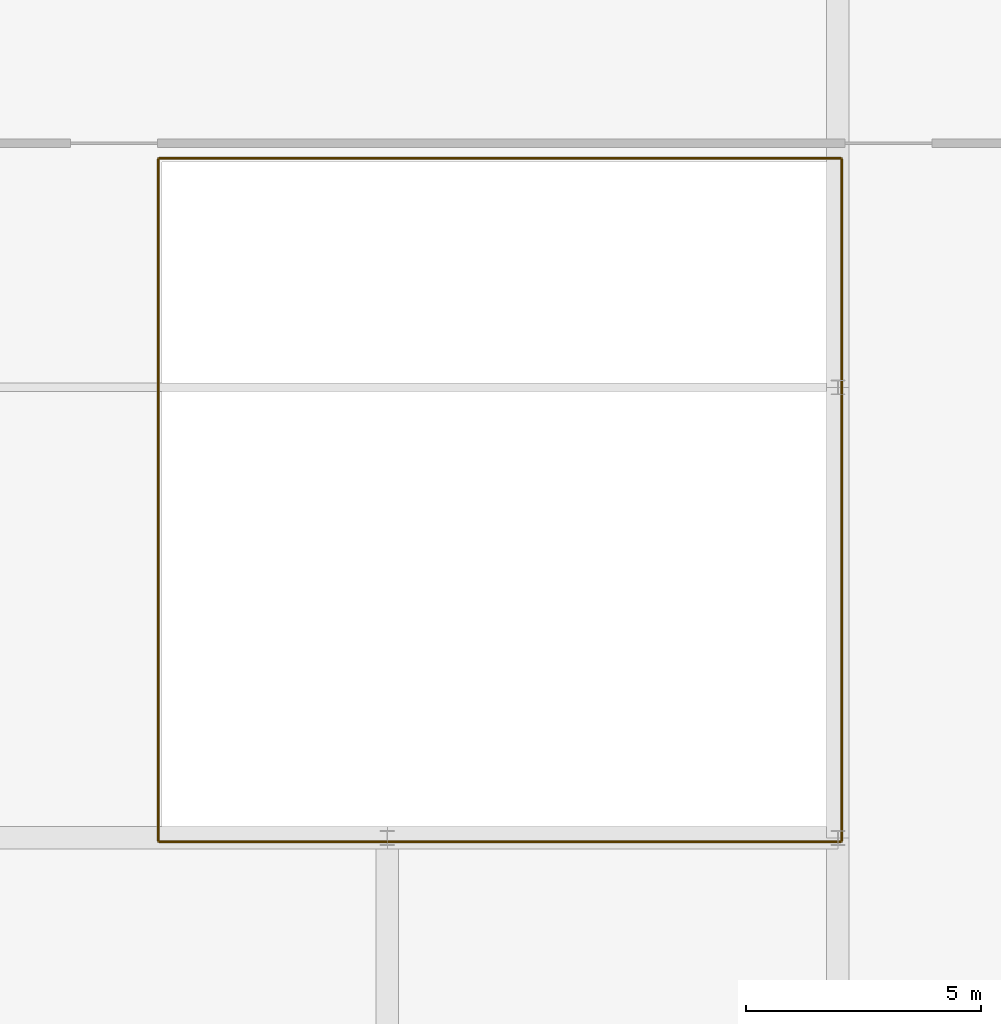
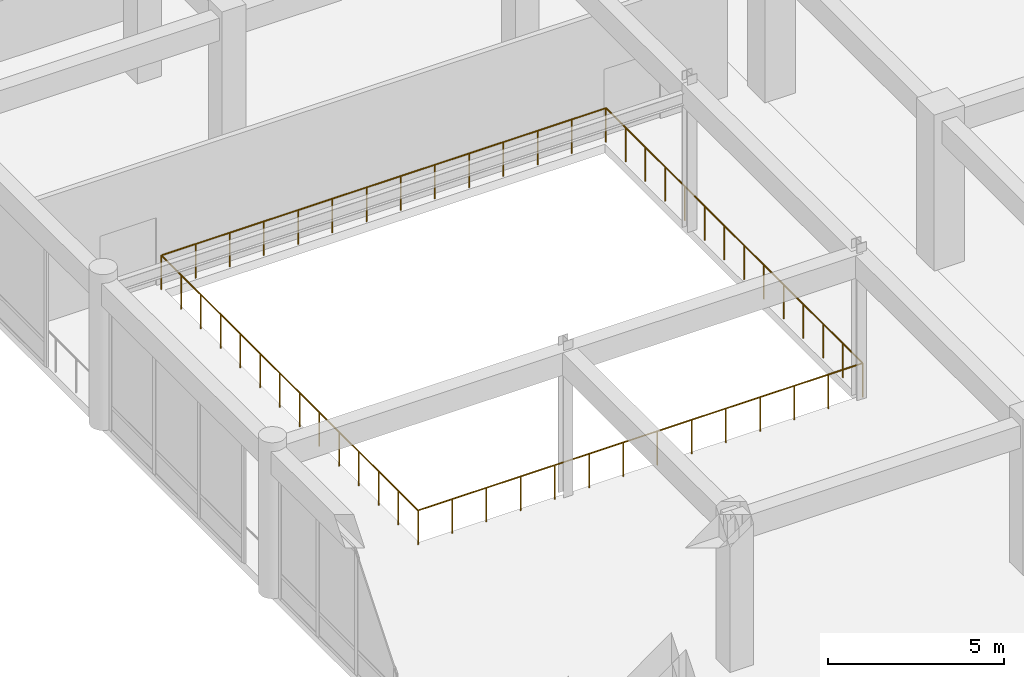
# One storey, part 129 of 134: 1 railing.
"""IFC4 building model written with IfcOpenShell, lengths in metres."""

from ifc_helpers import new_model, si_unit, direction, frame, origin, origin_2d, place, context, subcontext, project, spatial, circle, extrude, material, type_object, element, save


model = new_model("IFC4")

# Units and contexts
model_context = context("Model", 3, precision=1e-05, world=origin(), true_north=direction((0.0, 1.0)))
body_context = subcontext(model_context, "Body", "Model", "MODEL_VIEW")
ifc_project = project(units=[si_unit("LENGTHUNIT", "METRE"), si_unit("AREAUNIT", "SQUARE_METRE"), si_unit("VOLUMEUNIT", "CUBIC_METRE"), si_unit("PLANEANGLEUNIT", "RADIAN"), si_unit("MASSUNIT", "GRAM", prefix="KILO")], contexts=[model_context])

# Site, building, storey
site_placement = place(None, origin())
site = spatial("IfcSite", under=ifc_project, at=site_placement, CompositionType="ELEMENT")
building_placement = place(site_placement, origin())
building = spatial("IfcBuilding", under=site, at=building_placement, Name="Nakhvara Creek Congress Hotel", CompositionType="ELEMENT")
storey_placement = place(building_placement, frame((0.0, 0.0, 6.0)))
storey = spatial("IfcBuildingStorey", under=building, at=storey_placement, Name="L01", CompositionType="ELEMENT", Elevation=6.0)

# Railing
ifc_material = material(Name="Bronze-anodised aluminium and laminated safety glass balustrade", Category="aluminium")
railing_type = type_object("IfcRailingType", Name="RL-BALUS-1200", PredefinedType="BALUSTRADE", material=ifc_material)
railing_placement = place(storey_placement, frame((129.52001953125, 52.719970703125, 0.0)))
element("IfcRailing", 1, at=railing_placement, inside=storey, type_object=railing_type, Name="Atrium Void Glass Balustrade L01", PredefinedType="BALUSTRADE", context=body_context, shape_type="SweptSolid", body=[
    extrude(circle(Radius=0.02392578125, at=origin_2d()), frame((0.0146484375, 0.0, 1.17578125), z_axis=(1.0, 0.0, 0.0), x_axis=(0.0, 1.0, 0.0)), (0.0, 0.0, 1.0), 14.53076171875),
    extrude(circle(Radius=0.02392578125, at=origin_2d()), frame((14.56005859375, 0.0146484375, 1.17578125), z_axis=(0.0, 1.0, 0.0), x_axis=(-1.0, 0.0, 0.0)), (0.0, 0.0, 1.0), 14.53076171875),
    extrude(circle(Radius=0.02392578125, at=origin_2d()), frame((14.54541015625, 14.56005859375, 1.17578125), z_axis=(-1.0, 0.0, 0.0), x_axis=(0.0, -1.0, 0.0)), (0.0, 0.0, 1.0), 14.53076171875),
    extrude(circle(Radius=0.02392578125, at=origin_2d()), frame((0.0, 14.54541015625, 1.17578125), z_axis=(0.0, -1.0, 0.0), x_axis=(1.0, 0.0, 0.0)), (0.0, 0.0, 1.0), 14.53076171875),
    extrude(circle(Radius=0.02099609375, at=origin_2d()), origin(), (0.0, 0.0, 1.0), 1.1806640625),
    extrude(circle(Radius=0.02099609375, at=origin_2d()), frame((1.1201171875, 0.0, 0.0)), (0.0, 0.0, 1.0), 1.1806640625),
    extrude(circle(Radius=0.02099609375, at=origin_2d()), frame((2.239990234375, 0.0, 0.0)), (0.0, 0.0, 1.0), 1.1806640625),
    extrude(circle(Radius=0.02099609375, at=origin_2d()), frame((3.360107421875, 0.0, 0.0)), (0.0, 0.0, 1.0), 1.1806640625),
    extrude(circle(Radius=0.02099609375, at=origin_2d()), frame((4.47998046875, 0.0, 0.0)), (0.0, 0.0, 1.0), 1.1806640625),
    extrude(circle(Radius=0.02099609375, at=origin_2d()), frame((5.60009765625, 0.0, 0.0)), (0.0, 0.0, 1.0), 1.1806640625),
    extrude(circle(Radius=0.02099609375, at=origin_2d()), frame((6.719970703125, 0.0, 0.0)), (0.0, 0.0, 1.0), 1.1806640625),
    extrude(circle(Radius=0.02099609375, at=origin_2d()), frame((7.840087890625, 0.0, 0.0)), (0.0, 0.0, 1.0), 1.1806640625),
    extrude(circle(Radius=0.02099609375, at=origin_2d()), frame((8.9599609375, 0.0, 0.0)), (0.0, 0.0, 1.0), 1.1806640625),
    extrude(circle(Radius=0.02099609375, at=origin_2d()), frame((10.080078125, 0.0, 0.0)), (0.0, 0.0, 1.0), 1.1806640625),
    extrude(circle(Radius=0.02099609375, at=origin_2d()), frame((11.199951171875, 0.0, 0.0)), (0.0, 0.0, 1.0), 1.1806640625),
    extrude(circle(Radius=0.02099609375, at=origin_2d()), frame((12.320068359375, 0.0, 0.0)), (0.0, 0.0, 1.0), 1.1806640625),
    extrude(circle(Radius=0.02099609375, at=origin_2d()), frame((13.43994140625, 0.0, 0.0)), (0.0, 0.0, 1.0), 1.1806640625),
    extrude(circle(Radius=0.02099609375, at=origin_2d()), frame((14.56005859375, 0.0, 0.0)), (0.0, 0.0, 1.0), 1.1806640625),
    extrude(circle(Radius=0.02099609375, at=origin_2d()), frame((14.56005859375, 1.1201171875, 0.0)), (0.0, 0.0, 1.0), 1.1806640625),
    extrude(circle(Radius=0.02099609375, at=origin_2d()), frame((14.56005859375, 2.239990234375, 0.0)), (0.0, 0.0, 1.0), 1.1806640625),
    extrude(circle(Radius=0.02099609375, at=origin_2d()), frame((14.56005859375, 3.360107421875, 0.0)), (0.0, 0.0, 1.0), 1.1806640625),
    extrude(circle(Radius=0.02099609375, at=origin_2d()), frame((14.56005859375, 4.47998046875, 0.0)), (0.0, 0.0, 1.0), 1.1806640625),
    extrude(circle(Radius=0.02099609375, at=origin_2d()), frame((14.56005859375, 5.60009765625, 0.0)), (0.0, 0.0, 1.0), 1.1806640625),
    extrude(circle(Radius=0.02099609375, at=origin_2d()), frame((14.56005859375, 6.719970703125, 0.0)), (0.0, 0.0, 1.0), 1.1806640625),
    extrude(circle(Radius=0.02099609375, at=origin_2d()), frame((14.56005859375, 7.840087890625, 0.0)), (0.0, 0.0, 1.0), 1.1806640625),
    extrude(circle(Radius=0.02099609375, at=origin_2d()), frame((14.56005859375, 8.9599609375, 0.0)), (0.0, 0.0, 1.0), 1.1806640625),
    extrude(circle(Radius=0.02099609375, at=origin_2d()), frame((14.56005859375, 10.080078125, 0.0)), (0.0, 0.0, 1.0), 1.1806640625),
    extrude(circle(Radius=0.02099609375, at=origin_2d()), frame((14.56005859375, 11.199951171875, 0.0)), (0.0, 0.0, 1.0), 1.1806640625),
    extrude(circle(Radius=0.02099609375, at=origin_2d()), frame((14.56005859375, 12.320068359375, 0.0)), (0.0, 0.0, 1.0), 1.1806640625),
    extrude(circle(Radius=0.02099609375, at=origin_2d()), frame((14.56005859375, 13.43994140625, 0.0)), (0.0, 0.0, 1.0), 1.1806640625),
    extrude(circle(Radius=0.02099609375, at=origin_2d()), frame((14.56005859375, 14.56005859375, 0.0)), (0.0, 0.0, 1.0), 1.1806640625),
    extrude(circle(Radius=0.02099609375, at=origin_2d()), frame((13.43994140625, 14.56005859375, 0.0)), (0.0, 0.0, 1.0), 1.1806640625),
    extrude(circle(Radius=0.02099609375, at=origin_2d()), frame((12.320068359375, 14.56005859375, 0.0)), (0.0, 0.0, 1.0), 1.1806640625),
    extrude(circle(Radius=0.02099609375, at=origin_2d()), frame((11.199951171875, 14.56005859375, 0.0)), (0.0, 0.0, 1.0), 1.1806640625),
    extrude(circle(Radius=0.02099609375, at=origin_2d()), frame((10.080078125, 14.56005859375, 0.0)), (0.0, 0.0, 1.0), 1.1806640625),
    extrude(circle(Radius=0.02099609375, at=origin_2d()), frame((8.9599609375, 14.56005859375, 0.0)), (0.0, 0.0, 1.0), 1.1806640625),
    extrude(circle(Radius=0.02099609375, at=origin_2d()), frame((7.840087890625, 14.56005859375, 0.0)), (0.0, 0.0, 1.0), 1.1806640625),
    extrude(circle(Radius=0.02099609375, at=origin_2d()), frame((6.719970703125, 14.56005859375, 0.0)), (0.0, 0.0, 1.0), 1.1806640625),
    extrude(circle(Radius=0.02099609375, at=origin_2d()), frame((5.60009765625, 14.56005859375, 0.0)), (0.0, 0.0, 1.0), 1.1806640625),
    extrude(circle(Radius=0.02099609375, at=origin_2d()), frame((4.47998046875, 14.56005859375, 0.0)), (0.0, 0.0, 1.0), 1.1806640625),
    extrude(circle(Radius=0.02099609375, at=origin_2d()), frame((3.360107421875, 14.56005859375, 0.0)), (0.0, 0.0, 1.0), 1.1806640625),
    extrude(circle(Radius=0.02099609375, at=origin_2d()), frame((2.239990234375, 14.56005859375, 0.0)), (0.0, 0.0, 1.0), 1.1806640625),
    extrude(circle(Radius=0.02099609375, at=origin_2d()), frame((1.1201171875, 14.56005859375, 0.0)), (0.0, 0.0, 1.0), 1.1806640625),
    extrude(circle(Radius=0.02099609375, at=origin_2d()), frame((0.0, 14.56005859375, 0.0)), (0.0, 0.0, 1.0), 1.1806640625),
    extrude(circle(Radius=0.02099609375, at=origin_2d()), frame((0.0, 13.43994140625, 0.0)), (0.0, 0.0, 1.0), 1.1806640625),
    extrude(circle(Radius=0.02099609375, at=origin_2d()), frame((0.0, 12.320068359375, 0.0)), (0.0, 0.0, 1.0), 1.1806640625),
    extrude(circle(Radius=0.02099609375, at=origin_2d()), frame((0.0, 11.199951171875, 0.0)), (0.0, 0.0, 1.0), 1.1806640625),
    extrude(circle(Radius=0.02099609375, at=origin_2d()), frame((0.0, 10.080078125, 0.0)), (0.0, 0.0, 1.0), 1.1806640625),
    extrude(circle(Radius=0.02099609375, at=origin_2d()), frame((0.0, 8.9599609375, 0.0)), (0.0, 0.0, 1.0), 1.1806640625),
    extrude(circle(Radius=0.02099609375, at=origin_2d()), frame((0.0, 7.840087890625, 0.0)), (0.0, 0.0, 1.0), 1.1806640625),
    extrude(circle(Radius=0.02099609375, at=origin_2d()), frame((0.0, 6.719970703125, 0.0)), (0.0, 0.0, 1.0), 1.1806640625),
    extrude(circle(Radius=0.02099609375, at=origin_2d()), frame((0.0, 5.60009765625, 0.0)), (0.0, 0.0, 1.0), 1.1806640625),
    extrude(circle(Radius=0.02099609375, at=origin_2d()), frame((0.0, 4.47998046875, 0.0)), (0.0, 0.0, 1.0), 1.1806640625),
    extrude(circle(Radius=0.02099609375, at=origin_2d()), frame((0.0, 3.360107421875, 0.0)), (0.0, 0.0, 1.0), 1.1806640625),
    extrude(circle(Radius=0.02099609375, at=origin_2d()), frame((0.0, 2.239990234375, 0.0)), (0.0, 0.0, 1.0), 1.1806640625),
    extrude(circle(Radius=0.02099609375, at=origin_2d()), frame((0.0, 1.1201171875, 0.0)), (0.0, 0.0, 1.0), 1.1806640625),
])

save(model, "model.ifc")
